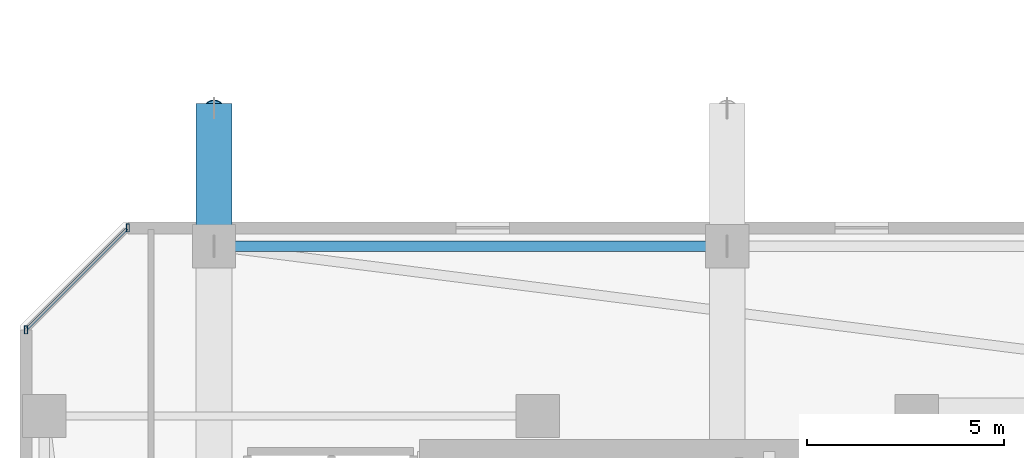
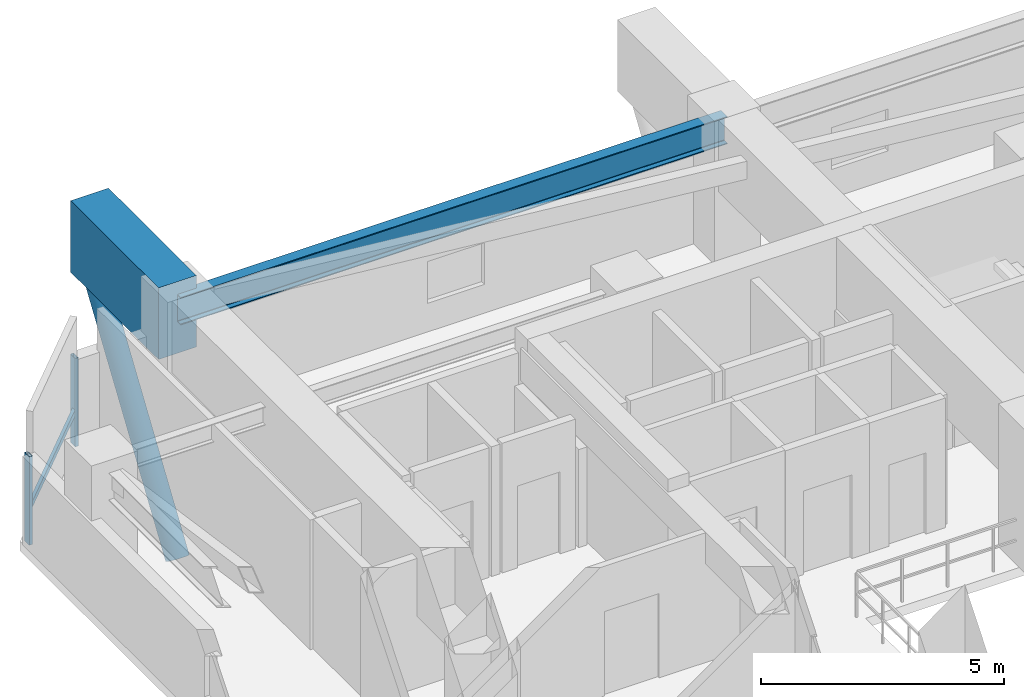
# One storey, part 8 of 36: 4 members, 2 beams, 1 element without a shape of its own.
"""IFC4 building model written with IfcOpenShell, lengths in metres."""

from ifc_helpers import new_model, si_unit, direction, frame, origin, origin_2d, place, context, subcontext, project, spatial, rectangle, hollow_rectangle, hollow_circle, i_section, extrude, material, material_profile, profile_set, type_object, element, aggregate, save


model = new_model("IFC4")

# Units and contexts
model_context = context("Model", 3, precision=1e-05, world=origin(), true_north=direction((0.0, 1.0)))
body_context = subcontext(model_context, "Body", "Model", "MODEL_VIEW")
ifc_project = project(units=[si_unit("LENGTHUNIT", "METRE"), si_unit("AREAUNIT", "SQUARE_METRE"), si_unit("VOLUMEUNIT", "CUBIC_METRE"), si_unit("PLANEANGLEUNIT", "RADIAN"), si_unit("MASSUNIT", "GRAM", prefix="KILO")], contexts=[model_context])

# Site, building, storey
site_placement = place(None, origin())
site = spatial("IfcSite", under=ifc_project, at=site_placement, CompositionType="ELEMENT")
building_placement = place(site_placement, origin())
building = spatial("IfcBuilding", under=site, at=building_placement, Name="Thornwick Lancets Civic Towers", CompositionType="ELEMENT")
storey_placement = place(building_placement, frame((0.0, 0.0, 170.699951171875)))
storey = spatial("IfcBuildingStorey", under=building, at=storey_placement, Name="L45", CompositionType="ELEMENT", Elevation=170.699951171875)

# Beams
ifc_material_1 = material(Name="Steel S355JR", Category="steel")
ifc_material_profile_1 = material_profile(ifc_material_1, i_section(OverallWidth=0.255859375, OverallDepth=0.69287109375, WebThickness=0.014404296875, FlangeThickness=0.023681640625, FilletRadius=0.01513671875, at=origin_2d()), Name="UKB 686x254x170")
ifc_profile_set_1 = profile_set([ifc_material_profile_1], Name="Steel S355JR")
beam_type_1 = type_object("IfcBeamType", Name="BM_GIRD_686_170", PredefinedType="BEAM", material=ifc_profile_set_1)
beam_1_placement = place(storey_placement, frame((12.5, 44.300048828125, 2.93359375), z_axis=(1.0, 0.0, 0.0), x_axis=(0.0, 1.0, 0.0)))
element("IfcBeam", 1, at=beam_1_placement, inside=storey, type_object=beam_type_1, Name="BM-SPINE-L45-A-6-7", PredefinedType="BEAM", context=body_context, shape_type="SweptSolid", body=[
    extrude(i_section(OverallWidth=0.255859375, OverallDepth=0.69287109375, WebThickness=0.014404296875, FlangeThickness=0.023681640625, FilletRadius=0.01513671875, at=origin_2d()), origin(), (0.0, 0.0, 1.0), 13.0),
])
ifc_material_2 = material(Name="Concrete C60/75", Category="concrete")
ifc_material_profile_2 = material_profile(ifc_material_2, rectangle(XDim=0.89990234375, YDim=1.800048828125, at=origin_2d()), Name="RC 900x1800")
ifc_profile_set_2 = profile_set([ifc_material_profile_2], Name="Concrete C60/75")
beam_type_2 = type_object("IfcBeamType", Name="BM_TR_RC1800", PredefinedType="BEAM", material=ifc_profile_set_2)
beam_2_placement = place(storey_placement, frame((12.5, 44.300048828125, 2.699951171875), z_axis=(0.0, 1.0, 0.0), x_axis=(-1.0, 0.0, 0.0)))
element("IfcBeam", 2, at=beam_2_placement, inside=storey, type_object=beam_type_2, Name="TG-CANT-L46-A07", PredefinedType="BEAM", context=body_context, shape_type="SweptSolid", body=[
    extrude(rectangle(XDim=0.89990234375, YDim=1.800048828125, at=origin_2d()), origin(), (0.0, 0.0, 1.0), 3.619873046875),
])

# Curtain wall, members
ifc_material_3 = material(Name="Mid-zone chamfered-corner unitised glass curtain wall", Category="glass")
curtain_wall_type = type_object("IfcCurtainWallType", Name="CW_SYS_04", PredefinedType="NOTDEFINED", material=ifc_material_3)
curtain_wall_placement = place(storey_placement, origin())
curtain_wall = element("IfcCurtainWall", 3, at=curtain_wall_placement, inside=storey, type_object=curtain_wall_type, Name="L45 Curtain Wall CW-L45-A-E5", PredefinedType="NOTDEFINED")
ifc_material_4 = material(Name="Thermally broken bronze aluminium S355", Category="steel")
ifc_material_profile_3 = material_profile(ifc_material_4, hollow_rectangle(XDim=0.080078125, YDim=0.199951171875, WallThickness=0.006103515625, at=origin_2d()), Name="RHS 200x80x6")
ifc_profile_set_3 = profile_set([ifc_material_profile_3], Name="Thermally broken bronze aluminium S355")
member_type_1 = type_object("IfcMemberType", Name="CW_MUL_200", PredefinedType="MULLION", material=ifc_profile_set_3)
member_1_placement = place(storey_placement, frame((10.318603515625, 44.7646484375, 0.0), z_axis=(0.0, 0.0, 1.0), x_axis=(1.0, 0.0, 0.0)))
member_1 = element("IfcMember", 4, at=member_1_placement, type_object=member_type_1, Name="CW-L45-A-E5 Mullion 0", PredefinedType="MULLION", context=body_context, shape_type="SweptSolid", body=[
    extrude(hollow_rectangle(XDim=0.080078125, YDim=0.199951171875, WallThickness=0.006103515625, at=origin_2d()), origin(), (0.0, 0.0, 1.0), 2.219970703125),
])
member_2_placement = place(storey_placement, frame((7.7353515625, 42.181396484375, 0.0), z_axis=(0.0, 0.0, 1.0), x_axis=(1.0, 0.0, 0.0)))
member_2 = element("IfcMember", 5, at=member_2_placement, type_object=member_type_1, Name="CW-L45-A-E5 Mullion 1", PredefinedType="MULLION", context=body_context, shape_type="SweptSolid", body=[
    extrude(hollow_rectangle(XDim=0.080078125, YDim=0.199951171875, WallThickness=0.006103515625, at=origin_2d()), origin(), (0.0, 0.0, 1.0), 2.219970703125),
])
ifc_material_profile_4 = material_profile(ifc_material_4, hollow_rectangle(XDim=0.074951171875, YDim=0.14990234375, WallThickness=0.0048828125, at=origin_2d()), Name="RHS 150x75x5")
ifc_profile_set_4 = profile_set([ifc_material_profile_4], Name="Thermally broken bronze aluminium S355")
member_type_2 = type_object("IfcMemberType", Name="CW_TRN_150", PredefinedType="USERDEFINED", material=ifc_profile_set_4)
member_3_placement = place(storey_placement, frame((10.304443359375, 44.75048828125, 0.85009765625), z_axis=(-0.707106781187, -0.707106781187, 0.0), x_axis=(0.707106781187, -0.707106781187, 0.0)))
member_3 = element("IfcMember", 6, at=member_3_placement, type_object=member_type_2, Name="CW-L45-A-E5 Transom 0", ObjectType="TRANSOM", PredefinedType="USERDEFINED", context=body_context, shape_type="SweptSolid", body=[
    extrude(hollow_rectangle(XDim=0.074951171875, YDim=0.14990234375, WallThickness=0.0048828125, at=origin_2d()), origin(), (0.0, 0.0, 1.0), 3.61328125),
])
aggregate(curtain_wall, [member_1, member_2, member_3])

# Member
ifc_material_5 = material(Name="Steel S460M", Category="steel")
ifc_material_profile_5 = material_profile(ifc_material_5, hollow_circle(Radius=0.25390625, WallThickness=0.02490234375, at=origin_2d()), Name="CHS 508x25")
ifc_profile_set_5 = profile_set([ifc_material_profile_5], Name="Steel S460M")
member_type_3 = type_object("IfcMemberType", Name="MEM_STRUT_CHS508", PredefinedType="STRUT", material=ifc_profile_set_5)
member_4_placement = place(storey_placement, frame((12.5, 44.300048828125, -3.349853515625), z_axis=(0.0, 0.556167580628, 0.831070166868), x_axis=(-1.0, 0.0, 0.0)))
element("IfcMember", 7, at=member_4_placement, inside=storey, type_object=member_type_3, Name="L46 Jenga Transfer Raking Strut A07", PredefinedType="STRUT", context=body_context, shape_type="SweptSolid", body=[
    extrude(hollow_circle(Radius=0.25390625, WallThickness=0.02490234375, at=origin_2d()), origin(), (0.0, 0.0, 1.0), 6.29296875),
])

save(model, "model.ifc")
